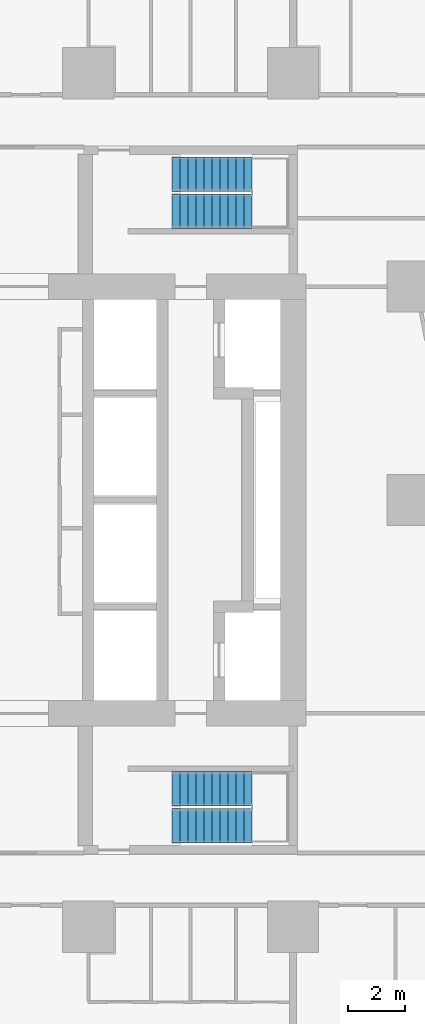
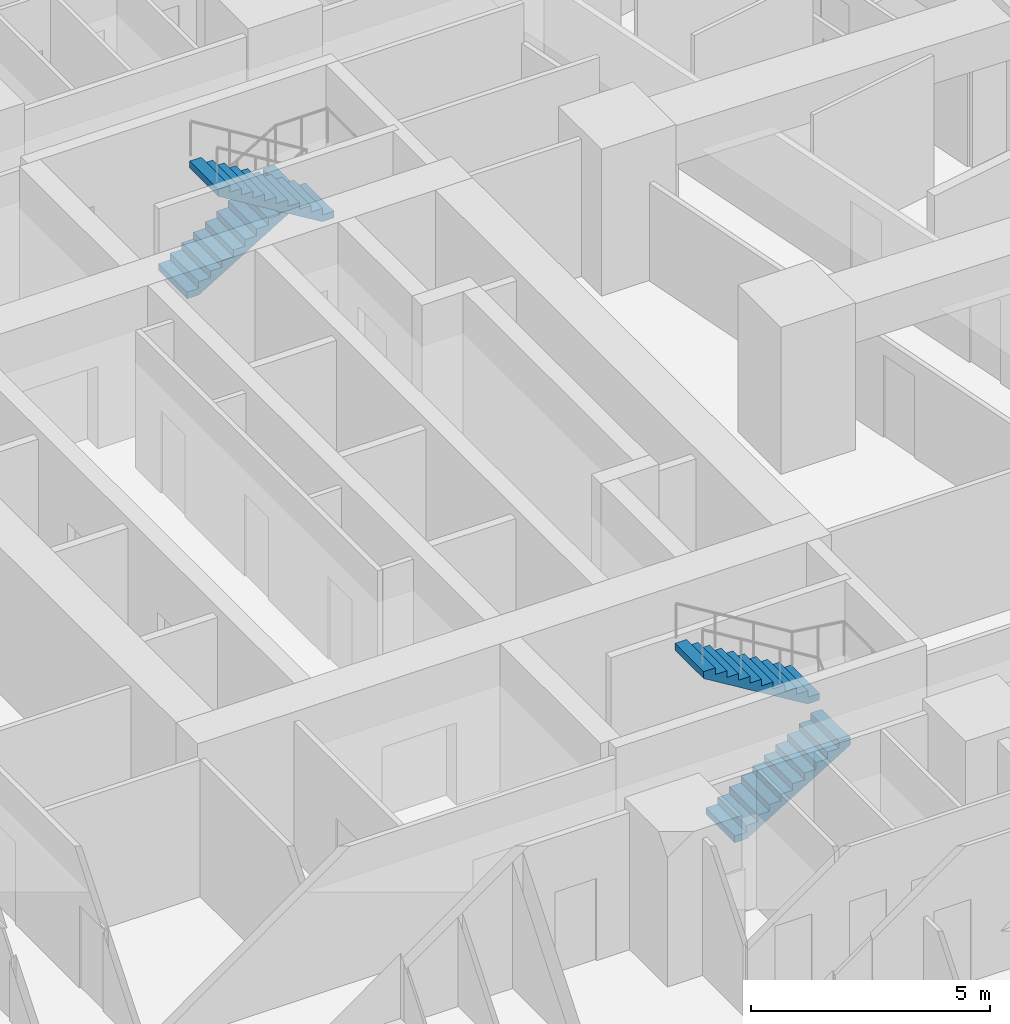
# One storey, part 13 of 16: 4 stair flights, 2 elements without a shape of their own.
"""IFC4 building model written with IfcOpenShell, lengths in metres."""

from ifc_helpers import new_model, si_unit, direction, frame, origin, place, context, subcontext, project, spatial, triangles, material, type_object, element, aggregate, save


model = new_model("IFC4")

# Units and contexts
model_context = context("Model", 3, precision=1e-05, world=origin(), true_north=direction((0.0, 1.0)))
body_context = subcontext(model_context, "Body", "Model", "MODEL_VIEW")
ifc_project = project(units=[si_unit("LENGTHUNIT", "METRE"), si_unit("AREAUNIT", "SQUARE_METRE"), si_unit("VOLUMEUNIT", "CUBIC_METRE"), si_unit("PLANEANGLEUNIT", "RADIAN"), si_unit("MASSUNIT", "GRAM", prefix="KILO")], contexts=[model_context])

# Site, building, storey
site_placement = place(None, origin())
site = spatial("IfcSite", under=ifc_project, at=site_placement, CompositionType="ELEMENT")
building_placement = place(site_placement, origin())
building = spatial("IfcBuilding", under=site, at=building_placement, Name="Sheger Commons Tower", CompositionType="ELEMENT")
storey_placement = place(building_placement, frame((0.0, 0.0, 53.75)))
storey = spatial("IfcBuildingStorey", under=building, at=storey_placement, Name="L13", CompositionType="ELEMENT", Elevation=53.75)

# Stair, stair flights
ifc_material_1 = material(Name="Concrete C35/45", Category="concrete")
stair_type = type_object("IfcStairType", Name="HALF-TURN STAIR 1200 RISE 3750", PredefinedType="HALF_TURN_STAIR", material=ifc_material_1)
stair_1_placement = place(storey_placement, origin())
stair_1 = element("IfcStair", 1, at=stair_1_placement, inside=storey, type_object=stair_type, Name="Stair S1 L13", PredefinedType="HALF_TURN_STAIR")
ifc_material_2 = material(Name="Concrete C35/45", Category="concrete")
stair_flight_type = type_object("IfcStairFlightType", Name="STAIR FLIGHT 1200 11 RISERS OF 170", PredefinedType="STRAIGHT", material=ifc_material_2)
stair_flight_1_placement = place(storey_placement, frame((24.550048828125, 11.050048828125, 0.0), z_axis=(0.0, 0.0, 1.0), x_axis=(1.0, 0.0, 0.0)))
stair_flight_1 = element("IfcStairFlight", 2, at=stair_flight_1_placement, type_object=stair_flight_type, Name="S1 flight 1", NumberOfRisers=11, NumberOfTreads=10, PredefinedType="STRAIGHT", RiserHeight=0.170454545, TreadLength=0.28, context=body_context, shape_type="Tessellation", body=[
    triangles([(0.0, 0.5999755859375, 0.0), (0.0, 0.5999755859375, 0.17041015625), (0.280029296875, 0.5999755859375, 0.17041015625), (0.280029296875, 0.5999755859375, 0.3408203125), (0.56005859375, 0.5999755859375, 0.3408203125), (0.56005859375, 0.5999755859375, 0.511474609375), (0.840087890625, 0.5999755859375, 0.511474609375), (0.840087890625, 0.5999755859375, 0.681884765625), (1.1201171875, 0.5999755859375, 0.681884765625), (1.1201171875, 0.5999755859375, 0.852294921875), (1.39990234375, 0.5999755859375, 0.852294921875), (1.39990234375, 0.5999755859375, 1.022705078125), (1.679931640625, 0.5999755859375, 1.022705078125), (1.679931640625, 0.5999755859375, 1.193115234375), (1.9599609375, 0.5999755859375, 1.193115234375), (1.9599609375, 0.5999755859375, 1.363525390625), (2.239990234375, 0.5999755859375, 1.363525390625), (2.239990234375, 0.5999755859375, 1.5341796875), (2.52001953125, 0.5999755859375, 1.5341796875), (2.52001953125, 0.5999755859375, 1.70458984375), (2.800048828125, 0.5999755859375, 1.70458984375), (2.800048828125, 0.5999755859375, 1.529052734375), (0.288330078125, 0.5999755859375, 0.0), (0.0, -0.5999755859375, 0.0), (0.0, -0.5999755859375, 0.17041015625), (0.280029296875, -0.5999755859375, 0.17041015625), (0.280029296875, -0.5999755859375, 0.3408203125), (0.56005859375, -0.5999755859375, 0.3408203125), (0.56005859375, -0.5999755859375, 0.511474609375), (0.840087890625, -0.5999755859375, 0.511474609375), (0.840087890625, -0.5999755859375, 0.681884765625), (1.1201171875, -0.5999755859375, 0.681884765625), (1.1201171875, -0.5999755859375, 0.852294921875), (1.39990234375, -0.5999755859375, 0.852294921875), (1.39990234375, -0.5999755859375, 1.022705078125), (1.679931640625, -0.5999755859375, 1.022705078125), (1.679931640625, -0.5999755859375, 1.193115234375), (1.9599609375, -0.5999755859375, 1.193115234375), (1.9599609375, -0.5999755859375, 1.363525390625), (2.239990234375, -0.5999755859375, 1.363525390625), (2.239990234375, -0.5999755859375, 1.5341796875), (2.52001953125, -0.5999755859375, 1.5341796875), (2.52001953125, -0.5999755859375, 1.70458984375), (2.800048828125, -0.5999755859375, 1.70458984375), (2.800048828125, -0.5999755859375, 1.529052734375), (0.288330078125, -0.5999755859375, 0.0), (0.0, 0.0, 0.085205078125), (0.1400146484375, 0.0, 0.17041015625), (0.280029296875, 0.0, 0.255615234375), (0.4200439453125, 0.0, 0.3408203125), (0.56005859375, 0.0, 0.4261474609375), (0.7000732421875, 0.0, 0.511474609375), (0.840087890625, 0.0, 0.5966796875), (0.9801025390625, 0.0, 0.681884765625), (1.1201171875, 0.0, 0.76708984375), (1.260009765625, 0.0, 0.852294921875), (1.39990234375, 0.0, 0.9375), (1.5399169921875, 0.0, 1.022705078125), (1.679931640625, 0.0, 1.10791015625), (1.8199462890625, 0.0, 1.193115234375), (1.9599609375, 0.0, 1.2783203125), (2.0999755859375, 0.0, 1.363525390625), (2.239990234375, 0.0, 1.4488525390625), (2.3800048828125, 0.0, 1.5341796875), (2.52001953125, 0.0, 1.619384765625), (2.6600341796875, 0.0, 1.70458984375), (2.800048828125, 0.0, 1.6168212890625), (1.544189453125, 0.0, 0.7645263671875), (0.1441650390625, 0.0, 0.0)], [[1, 22, 23], [24, 46, 45], [22, 20, 21], [45, 44, 43], [22, 19, 20], [45, 43, 42], [22, 18, 19], [45, 42, 41], [22, 17, 18], [45, 41, 40], [17, 15, 16], [40, 39, 38], [22, 15, 17], [45, 40, 38], [15, 13, 14], [38, 37, 36], [22, 13, 15], [45, 38, 36], [13, 11, 12], [36, 35, 34], [22, 11, 13], [45, 36, 34], [11, 9, 10], [34, 33, 32], [22, 9, 11], [45, 34, 32], [9, 7, 8], [32, 31, 30], [22, 7, 9], [45, 32, 30], [7, 5, 6], [30, 29, 28], [22, 5, 7], [45, 30, 28], [5, 3, 4], [28, 27, 26], [22, 3, 5], [45, 28, 26], [1, 3, 22], [24, 45, 26], [3, 1, 2], [26, 25, 24], [1, 47, 2], [2, 47, 25], [25, 47, 24], [24, 47, 1], [2, 48, 3], [3, 48, 26], [26, 48, 25], [25, 48, 2], [3, 49, 4], [4, 49, 27], [27, 49, 26], [26, 49, 3], [4, 50, 5], [5, 50, 28], [28, 50, 27], [27, 50, 4], [5, 51, 6], [6, 51, 29], [29, 51, 28], [28, 51, 5], [6, 52, 7], [7, 52, 30], [30, 52, 29], [29, 52, 6], [7, 53, 8], [8, 53, 31], [31, 53, 30], [30, 53, 7], [8, 54, 9], [9, 54, 32], [32, 54, 31], [31, 54, 8], [9, 55, 10], [10, 55, 33], [33, 55, 32], [32, 55, 9], [10, 56, 11], [11, 56, 34], [34, 56, 33], [33, 56, 10], [11, 57, 12], [12, 57, 35], [35, 57, 34], [34, 57, 11], [12, 58, 13], [13, 58, 36], [36, 58, 35], [35, 58, 12], [13, 59, 14], [14, 59, 37], [37, 59, 36], [36, 59, 13], [14, 60, 15], [15, 60, 38], [38, 60, 37], [37, 60, 14], [15, 61, 16], [16, 61, 39], [39, 61, 38], [38, 61, 15], [16, 62, 17], [17, 62, 40], [40, 62, 39], [39, 62, 16], [17, 63, 18], [18, 63, 41], [41, 63, 40], [40, 63, 17], [18, 64, 19], [19, 64, 42], [42, 64, 41], [41, 64, 18], [19, 65, 20], [20, 65, 43], [43, 65, 42], [42, 65, 19], [20, 66, 21], [21, 66, 44], [44, 66, 43], [43, 66, 20], [21, 67, 22], [22, 67, 45], [45, 67, 44], [44, 67, 21], [22, 68, 23], [23, 68, 46], [46, 68, 45], [45, 68, 22], [23, 69, 1], [1, 69, 24], [24, 69, 46], [46, 69, 23]], closed=True),
])
stair_flight_2_placement = place(storey_placement, frame((27.35009765625, 12.35009765625, 1.875), z_axis=(0.0, 0.0, 1.0), x_axis=(-1.0, 0.0, 0.0)))
stair_flight_2 = element("IfcStairFlight", 3, at=stair_flight_2_placement, type_object=stair_flight_type, Name="S1 flight 2", NumberOfRisers=11, NumberOfTreads=10, PredefinedType="STRAIGHT", RiserHeight=0.170454545, TreadLength=0.28, context=body_context, shape_type="Tessellation", body=[
    triangles([(0.0, 0.5999755859375, 0.0), (0.0, 0.5999755859375, 0.17041015625), (0.280029296875, 0.5999755859375, 0.17041015625), (0.280029296875, 0.5999755859375, 0.3408203125), (0.56005859375, 0.5999755859375, 0.3408203125), (0.56005859375, 0.5999755859375, 0.511474609375), (0.840087890625, 0.5999755859375, 0.511474609375), (0.840087890625, 0.5999755859375, 0.681884765625), (1.1201171875, 0.5999755859375, 0.681884765625), (1.1201171875, 0.5999755859375, 0.852294921875), (1.39990234375, 0.5999755859375, 0.852294921875), (1.39990234375, 0.5999755859375, 1.022705078125), (1.679931640625, 0.5999755859375, 1.022705078125), (1.679931640625, 0.5999755859375, 1.193115234375), (1.9599609375, 0.5999755859375, 1.193115234375), (1.9599609375, 0.5999755859375, 1.363525390625), (2.239990234375, 0.5999755859375, 1.363525390625), (2.239990234375, 0.5999755859375, 1.5341796875), (2.52001953125, 0.5999755859375, 1.5341796875), (2.52001953125, 0.5999755859375, 1.70458984375), (2.800048828125, 0.5999755859375, 1.70458984375), (2.800048828125, 0.5999755859375, 1.529052734375), (0.288330078125, 0.5999755859375, 0.0), (0.0, -0.5999755859375, 0.0), (0.0, -0.5999755859375, 0.17041015625), (0.280029296875, -0.5999755859375, 0.17041015625), (0.280029296875, -0.5999755859375, 0.3408203125), (0.56005859375, -0.5999755859375, 0.3408203125), (0.56005859375, -0.5999755859375, 0.511474609375), (0.840087890625, -0.5999755859375, 0.511474609375), (0.840087890625, -0.5999755859375, 0.681884765625), (1.1201171875, -0.5999755859375, 0.681884765625), (1.1201171875, -0.5999755859375, 0.852294921875), (1.39990234375, -0.5999755859375, 0.852294921875), (1.39990234375, -0.5999755859375, 1.022705078125), (1.679931640625, -0.5999755859375, 1.022705078125), (1.679931640625, -0.5999755859375, 1.193115234375), (1.9599609375, -0.5999755859375, 1.193115234375), (1.9599609375, -0.5999755859375, 1.363525390625), (2.239990234375, -0.5999755859375, 1.363525390625), (2.239990234375, -0.5999755859375, 1.5341796875), (2.52001953125, -0.5999755859375, 1.5341796875), (2.52001953125, -0.5999755859375, 1.70458984375), (2.800048828125, -0.5999755859375, 1.70458984375), (2.800048828125, -0.5999755859375, 1.529052734375), (0.288330078125, -0.5999755859375, 0.0), (0.0, 0.0, 0.085205078125), (0.1400146484375, 0.0, 0.17041015625), (0.280029296875, 0.0, 0.255615234375), (0.4200439453125, 0.0, 0.3408203125), (0.56005859375, 0.0, 0.4261474609375), (0.7000732421875, 0.0, 0.511474609375), (0.840087890625, 0.0, 0.5966796875), (0.9801025390625, 0.0, 0.681884765625), (1.1201171875, 0.0, 0.76708984375), (1.260009765625, 0.0, 0.852294921875), (1.39990234375, 0.0, 0.9375), (1.5399169921875, 0.0, 1.022705078125), (1.679931640625, 0.0, 1.10791015625), (1.8199462890625, 0.0, 1.193115234375), (1.9599609375, 0.0, 1.2783203125), (2.0999755859375, 0.0, 1.363525390625), (2.239990234375, 0.0, 1.4488525390625), (2.3800048828125, 0.0, 1.5341796875), (2.52001953125, 0.0, 1.619384765625), (2.6600341796875, 0.0, 1.70458984375), (2.800048828125, 0.0, 1.6168212890625), (1.544189453125, 0.0, 0.7645263671875), (0.1441650390625, 0.0, 0.0)], [[1, 22, 23], [24, 46, 45], [22, 20, 21], [45, 44, 43], [22, 19, 20], [45, 43, 42], [22, 18, 19], [45, 42, 41], [22, 17, 18], [45, 41, 40], [17, 15, 16], [40, 39, 38], [22, 15, 17], [45, 40, 38], [15, 13, 14], [38, 37, 36], [22, 13, 15], [45, 38, 36], [13, 11, 12], [36, 35, 34], [22, 11, 13], [45, 36, 34], [11, 9, 10], [34, 33, 32], [22, 9, 11], [45, 34, 32], [9, 7, 8], [32, 31, 30], [22, 7, 9], [45, 32, 30], [7, 5, 6], [30, 29, 28], [22, 5, 7], [45, 30, 28], [5, 3, 4], [28, 27, 26], [22, 3, 5], [45, 28, 26], [1, 3, 22], [24, 45, 26], [3, 1, 2], [26, 25, 24], [1, 47, 2], [2, 47, 25], [25, 47, 24], [24, 47, 1], [2, 48, 3], [3, 48, 26], [26, 48, 25], [25, 48, 2], [3, 49, 4], [4, 49, 27], [27, 49, 26], [26, 49, 3], [4, 50, 5], [5, 50, 28], [28, 50, 27], [27, 50, 4], [5, 51, 6], [6, 51, 29], [29, 51, 28], [28, 51, 5], [6, 52, 7], [7, 52, 30], [30, 52, 29], [29, 52, 6], [7, 53, 8], [8, 53, 31], [31, 53, 30], [30, 53, 7], [8, 54, 9], [9, 54, 32], [32, 54, 31], [31, 54, 8], [9, 55, 10], [10, 55, 33], [33, 55, 32], [32, 55, 9], [10, 56, 11], [11, 56, 34], [34, 56, 33], [33, 56, 10], [11, 57, 12], [12, 57, 35], [35, 57, 34], [34, 57, 11], [12, 58, 13], [13, 58, 36], [36, 58, 35], [35, 58, 12], [13, 59, 14], [14, 59, 37], [37, 59, 36], [36, 59, 13], [14, 60, 15], [15, 60, 38], [38, 60, 37], [37, 60, 14], [15, 61, 16], [16, 61, 39], [39, 61, 38], [38, 61, 15], [16, 62, 17], [17, 62, 40], [40, 62, 39], [39, 62, 16], [17, 63, 18], [18, 63, 41], [41, 63, 40], [40, 63, 17], [18, 64, 19], [19, 64, 42], [42, 64, 41], [41, 64, 18], [19, 65, 20], [20, 65, 43], [43, 65, 42], [42, 65, 19], [20, 66, 21], [21, 66, 44], [44, 66, 43], [43, 66, 20], [21, 67, 22], [22, 67, 45], [45, 67, 44], [44, 67, 21], [22, 68, 23], [23, 68, 46], [46, 68, 45], [45, 68, 22], [23, 69, 1], [1, 69, 24], [24, 69, 46], [46, 69, 23]], closed=True),
])
aggregate(stair_1, [stair_flight_1, stair_flight_2])

stair_2_placement = place(storey_placement, origin())
stair_2 = element("IfcStair", 4, at=stair_2_placement, inside=storey, type_object=stair_type, Name="Stair S2 L13", PredefinedType="HALF_TURN_STAIR")
stair_flight_3_placement = place(storey_placement, frame((24.550048828125, 33.949951171875, 0.0), z_axis=(0.0, 0.0, 1.0), x_axis=(1.0, 0.0, 0.0)))
stair_flight_3 = element("IfcStairFlight", 5, at=stair_flight_3_placement, type_object=stair_flight_type, Name="S2 flight 1", NumberOfRisers=11, NumberOfTreads=10, PredefinedType="STRAIGHT", RiserHeight=0.170454545, TreadLength=0.28, context=body_context, shape_type="Tessellation", body=[
    triangles([(0.0, 0.5999755859375, 0.0), (0.0, 0.5999755859375, 0.17041015625), (0.280029296875, 0.5999755859375, 0.17041015625), (0.280029296875, 0.5999755859375, 0.3408203125), (0.56005859375, 0.5999755859375, 0.3408203125), (0.56005859375, 0.5999755859375, 0.511474609375), (0.840087890625, 0.5999755859375, 0.511474609375), (0.840087890625, 0.5999755859375, 0.681884765625), (1.1201171875, 0.5999755859375, 0.681884765625), (1.1201171875, 0.5999755859375, 0.852294921875), (1.39990234375, 0.5999755859375, 0.852294921875), (1.39990234375, 0.5999755859375, 1.022705078125), (1.679931640625, 0.5999755859375, 1.022705078125), (1.679931640625, 0.5999755859375, 1.193115234375), (1.9599609375, 0.5999755859375, 1.193115234375), (1.9599609375, 0.5999755859375, 1.363525390625), (2.239990234375, 0.5999755859375, 1.363525390625), (2.239990234375, 0.5999755859375, 1.5341796875), (2.52001953125, 0.5999755859375, 1.5341796875), (2.52001953125, 0.5999755859375, 1.70458984375), (2.800048828125, 0.5999755859375, 1.70458984375), (2.800048828125, 0.5999755859375, 1.529052734375), (0.288330078125, 0.5999755859375, 0.0), (0.0, -0.5999755859375, 0.0), (0.0, -0.5999755859375, 0.17041015625), (0.280029296875, -0.5999755859375, 0.17041015625), (0.280029296875, -0.5999755859375, 0.3408203125), (0.56005859375, -0.5999755859375, 0.3408203125), (0.56005859375, -0.5999755859375, 0.511474609375), (0.840087890625, -0.5999755859375, 0.511474609375), (0.840087890625, -0.5999755859375, 0.681884765625), (1.1201171875, -0.5999755859375, 0.681884765625), (1.1201171875, -0.5999755859375, 0.852294921875), (1.39990234375, -0.5999755859375, 0.852294921875), (1.39990234375, -0.5999755859375, 1.022705078125), (1.679931640625, -0.5999755859375, 1.022705078125), (1.679931640625, -0.5999755859375, 1.193115234375), (1.9599609375, -0.5999755859375, 1.193115234375), (1.9599609375, -0.5999755859375, 1.363525390625), (2.239990234375, -0.5999755859375, 1.363525390625), (2.239990234375, -0.5999755859375, 1.5341796875), (2.52001953125, -0.5999755859375, 1.5341796875), (2.52001953125, -0.5999755859375, 1.70458984375), (2.800048828125, -0.5999755859375, 1.70458984375), (2.800048828125, -0.5999755859375, 1.529052734375), (0.288330078125, -0.5999755859375, 0.0), (0.0, 0.0, 0.085205078125), (0.1400146484375, 0.0, 0.17041015625), (0.280029296875, 0.0, 0.255615234375), (0.4200439453125, 0.0, 0.3408203125), (0.56005859375, 0.0, 0.4261474609375), (0.7000732421875, 0.0, 0.511474609375), (0.840087890625, 0.0, 0.5966796875), (0.9801025390625, 0.0, 0.681884765625), (1.1201171875, 0.0, 0.76708984375), (1.260009765625, 0.0, 0.852294921875), (1.39990234375, 0.0, 0.9375), (1.5399169921875, 0.0, 1.022705078125), (1.679931640625, 0.0, 1.10791015625), (1.8199462890625, 0.0, 1.193115234375), (1.9599609375, 0.0, 1.2783203125), (2.0999755859375, 0.0, 1.363525390625), (2.239990234375, 0.0, 1.4488525390625), (2.3800048828125, 0.0, 1.5341796875), (2.52001953125, 0.0, 1.619384765625), (2.6600341796875, 0.0, 1.70458984375), (2.800048828125, 0.0, 1.6168212890625), (1.544189453125, 0.0, 0.7645263671875), (0.1441650390625, 0.0, 0.0)], [[1, 22, 23], [24, 46, 45], [22, 20, 21], [45, 44, 43], [22, 19, 20], [45, 43, 42], [22, 18, 19], [45, 42, 41], [22, 17, 18], [45, 41, 40], [17, 15, 16], [40, 39, 38], [22, 15, 17], [45, 40, 38], [15, 13, 14], [38, 37, 36], [22, 13, 15], [45, 38, 36], [13, 11, 12], [36, 35, 34], [22, 11, 13], [45, 36, 34], [11, 9, 10], [34, 33, 32], [22, 9, 11], [45, 34, 32], [9, 7, 8], [32, 31, 30], [22, 7, 9], [45, 32, 30], [7, 5, 6], [30, 29, 28], [22, 5, 7], [45, 30, 28], [5, 3, 4], [28, 27, 26], [22, 3, 5], [45, 28, 26], [1, 3, 22], [24, 45, 26], [3, 1, 2], [26, 25, 24], [1, 47, 2], [2, 47, 25], [25, 47, 24], [24, 47, 1], [2, 48, 3], [3, 48, 26], [26, 48, 25], [25, 48, 2], [3, 49, 4], [4, 49, 27], [27, 49, 26], [26, 49, 3], [4, 50, 5], [5, 50, 28], [28, 50, 27], [27, 50, 4], [5, 51, 6], [6, 51, 29], [29, 51, 28], [28, 51, 5], [6, 52, 7], [7, 52, 30], [30, 52, 29], [29, 52, 6], [7, 53, 8], [8, 53, 31], [31, 53, 30], [30, 53, 7], [8, 54, 9], [9, 54, 32], [32, 54, 31], [31, 54, 8], [9, 55, 10], [10, 55, 33], [33, 55, 32], [32, 55, 9], [10, 56, 11], [11, 56, 34], [34, 56, 33], [33, 56, 10], [11, 57, 12], [12, 57, 35], [35, 57, 34], [34, 57, 11], [12, 58, 13], [13, 58, 36], [36, 58, 35], [35, 58, 12], [13, 59, 14], [14, 59, 37], [37, 59, 36], [36, 59, 13], [14, 60, 15], [15, 60, 38], [38, 60, 37], [37, 60, 14], [15, 61, 16], [16, 61, 39], [39, 61, 38], [38, 61, 15], [16, 62, 17], [17, 62, 40], [40, 62, 39], [39, 62, 16], [17, 63, 18], [18, 63, 41], [41, 63, 40], [40, 63, 17], [18, 64, 19], [19, 64, 42], [42, 64, 41], [41, 64, 18], [19, 65, 20], [20, 65, 43], [43, 65, 42], [42, 65, 19], [20, 66, 21], [21, 66, 44], [44, 66, 43], [43, 66, 20], [21, 67, 22], [22, 67, 45], [45, 67, 44], [44, 67, 21], [22, 68, 23], [23, 68, 46], [46, 68, 45], [45, 68, 22], [23, 69, 1], [1, 69, 24], [24, 69, 46], [46, 69, 23]], closed=True),
])
stair_flight_4_placement = place(storey_placement, frame((27.35009765625, 32.64990234375, 1.875), z_axis=(0.0, 0.0, 1.0), x_axis=(-1.0, 0.0, 0.0)))
stair_flight_4 = element("IfcStairFlight", 6, at=stair_flight_4_placement, type_object=stair_flight_type, Name="S2 flight 2", NumberOfRisers=11, NumberOfTreads=10, PredefinedType="STRAIGHT", RiserHeight=0.170454545, TreadLength=0.28, context=body_context, shape_type="Tessellation", body=[
    triangles([(0.0, 0.5999755859375, 0.0), (0.0, 0.5999755859375, 0.17041015625), (0.280029296875, 0.5999755859375, 0.17041015625), (0.280029296875, 0.5999755859375, 0.3408203125), (0.56005859375, 0.5999755859375, 0.3408203125), (0.56005859375, 0.5999755859375, 0.511474609375), (0.840087890625, 0.5999755859375, 0.511474609375), (0.840087890625, 0.5999755859375, 0.681884765625), (1.1201171875, 0.5999755859375, 0.681884765625), (1.1201171875, 0.5999755859375, 0.852294921875), (1.39990234375, 0.5999755859375, 0.852294921875), (1.39990234375, 0.5999755859375, 1.022705078125), (1.679931640625, 0.5999755859375, 1.022705078125), (1.679931640625, 0.5999755859375, 1.193115234375), (1.9599609375, 0.5999755859375, 1.193115234375), (1.9599609375, 0.5999755859375, 1.363525390625), (2.239990234375, 0.5999755859375, 1.363525390625), (2.239990234375, 0.5999755859375, 1.5341796875), (2.52001953125, 0.5999755859375, 1.5341796875), (2.52001953125, 0.5999755859375, 1.70458984375), (2.800048828125, 0.5999755859375, 1.70458984375), (2.800048828125, 0.5999755859375, 1.529052734375), (0.288330078125, 0.5999755859375, 0.0), (0.0, -0.5999755859375, 0.0), (0.0, -0.5999755859375, 0.17041015625), (0.280029296875, -0.5999755859375, 0.17041015625), (0.280029296875, -0.5999755859375, 0.3408203125), (0.56005859375, -0.5999755859375, 0.3408203125), (0.56005859375, -0.5999755859375, 0.511474609375), (0.840087890625, -0.5999755859375, 0.511474609375), (0.840087890625, -0.5999755859375, 0.681884765625), (1.1201171875, -0.5999755859375, 0.681884765625), (1.1201171875, -0.5999755859375, 0.852294921875), (1.39990234375, -0.5999755859375, 0.852294921875), (1.39990234375, -0.5999755859375, 1.022705078125), (1.679931640625, -0.5999755859375, 1.022705078125), (1.679931640625, -0.5999755859375, 1.193115234375), (1.9599609375, -0.5999755859375, 1.193115234375), (1.9599609375, -0.5999755859375, 1.363525390625), (2.239990234375, -0.5999755859375, 1.363525390625), (2.239990234375, -0.5999755859375, 1.5341796875), (2.52001953125, -0.5999755859375, 1.5341796875), (2.52001953125, -0.5999755859375, 1.70458984375), (2.800048828125, -0.5999755859375, 1.70458984375), (2.800048828125, -0.5999755859375, 1.529052734375), (0.288330078125, -0.5999755859375, 0.0), (0.0, 0.0, 0.085205078125), (0.1400146484375, 0.0, 0.17041015625), (0.280029296875, 0.0, 0.255615234375), (0.4200439453125, 0.0, 0.3408203125), (0.56005859375, 0.0, 0.4261474609375), (0.7000732421875, 0.0, 0.511474609375), (0.840087890625, 0.0, 0.5966796875), (0.9801025390625, 0.0, 0.681884765625), (1.1201171875, 0.0, 0.76708984375), (1.260009765625, 0.0, 0.852294921875), (1.39990234375, 0.0, 0.9375), (1.5399169921875, 0.0, 1.022705078125), (1.679931640625, 0.0, 1.10791015625), (1.8199462890625, 0.0, 1.193115234375), (1.9599609375, 0.0, 1.2783203125), (2.0999755859375, 0.0, 1.363525390625), (2.239990234375, 0.0, 1.4488525390625), (2.3800048828125, 0.0, 1.5341796875), (2.52001953125, 0.0, 1.619384765625), (2.6600341796875, 0.0, 1.70458984375), (2.800048828125, 0.0, 1.6168212890625), (1.544189453125, 0.0, 0.7645263671875), (0.1441650390625, 0.0, 0.0)], [[1, 22, 23], [24, 46, 45], [22, 20, 21], [45, 44, 43], [22, 19, 20], [45, 43, 42], [22, 18, 19], [45, 42, 41], [22, 17, 18], [45, 41, 40], [17, 15, 16], [40, 39, 38], [22, 15, 17], [45, 40, 38], [15, 13, 14], [38, 37, 36], [22, 13, 15], [45, 38, 36], [13, 11, 12], [36, 35, 34], [22, 11, 13], [45, 36, 34], [11, 9, 10], [34, 33, 32], [22, 9, 11], [45, 34, 32], [9, 7, 8], [32, 31, 30], [22, 7, 9], [45, 32, 30], [7, 5, 6], [30, 29, 28], [22, 5, 7], [45, 30, 28], [5, 3, 4], [28, 27, 26], [22, 3, 5], [45, 28, 26], [1, 3, 22], [24, 45, 26], [3, 1, 2], [26, 25, 24], [1, 47, 2], [2, 47, 25], [25, 47, 24], [24, 47, 1], [2, 48, 3], [3, 48, 26], [26, 48, 25], [25, 48, 2], [3, 49, 4], [4, 49, 27], [27, 49, 26], [26, 49, 3], [4, 50, 5], [5, 50, 28], [28, 50, 27], [27, 50, 4], [5, 51, 6], [6, 51, 29], [29, 51, 28], [28, 51, 5], [6, 52, 7], [7, 52, 30], [30, 52, 29], [29, 52, 6], [7, 53, 8], [8, 53, 31], [31, 53, 30], [30, 53, 7], [8, 54, 9], [9, 54, 32], [32, 54, 31], [31, 54, 8], [9, 55, 10], [10, 55, 33], [33, 55, 32], [32, 55, 9], [10, 56, 11], [11, 56, 34], [34, 56, 33], [33, 56, 10], [11, 57, 12], [12, 57, 35], [35, 57, 34], [34, 57, 11], [12, 58, 13], [13, 58, 36], [36, 58, 35], [35, 58, 12], [13, 59, 14], [14, 59, 37], [37, 59, 36], [36, 59, 13], [14, 60, 15], [15, 60, 38], [38, 60, 37], [37, 60, 14], [15, 61, 16], [16, 61, 39], [39, 61, 38], [38, 61, 15], [16, 62, 17], [17, 62, 40], [40, 62, 39], [39, 62, 16], [17, 63, 18], [18, 63, 41], [41, 63, 40], [40, 63, 17], [18, 64, 19], [19, 64, 42], [42, 64, 41], [41, 64, 18], [19, 65, 20], [20, 65, 43], [43, 65, 42], [42, 65, 19], [20, 66, 21], [21, 66, 44], [44, 66, 43], [43, 66, 20], [21, 67, 22], [22, 67, 45], [45, 67, 44], [44, 67, 21], [22, 68, 23], [23, 68, 46], [46, 68, 45], [45, 68, 22], [23, 69, 1], [1, 69, 24], [24, 69, 46], [46, 69, 23]], closed=True),
])
aggregate(stair_2, [stair_flight_3, stair_flight_4])

save(model, "model.ifc")
